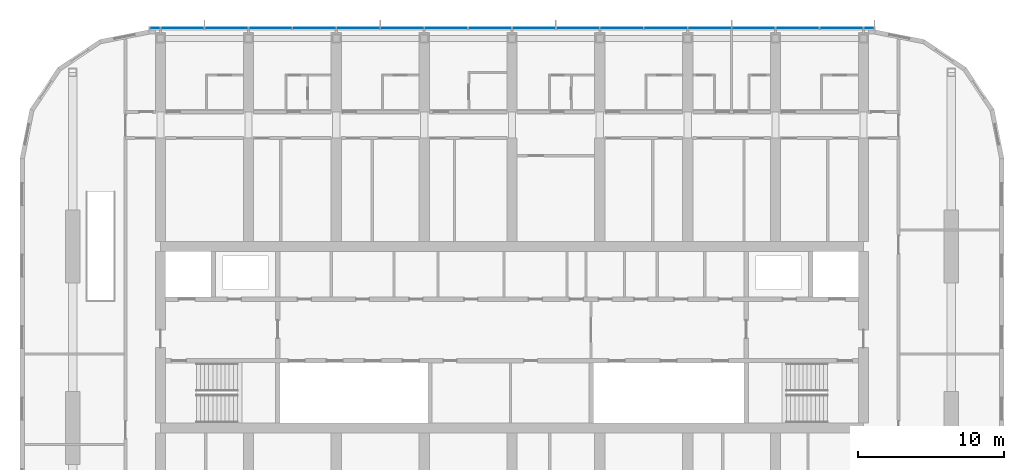
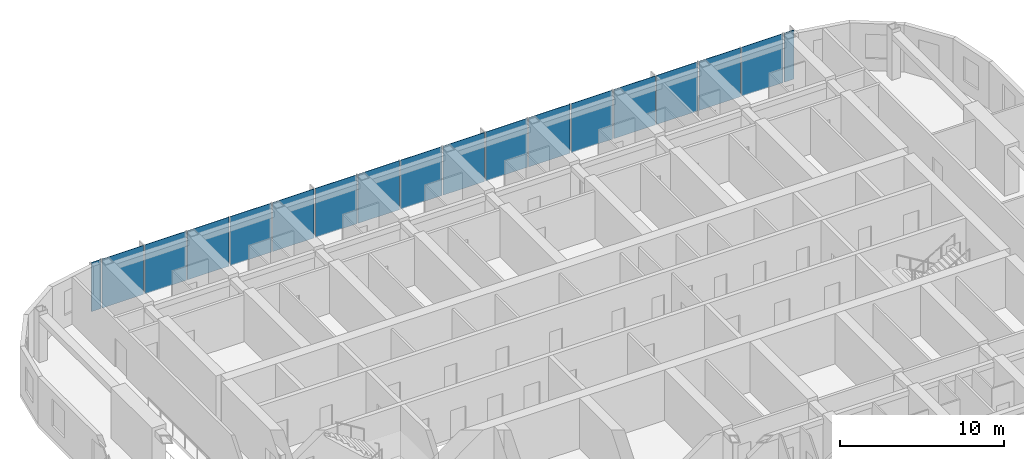
# One storey, part 9 of 23: 18 plates, 1 element without a shape of its own.
"""IFC4 building model written with IfcOpenShell, lengths in metres."""

from ifc_helpers import new_model, si_unit, direction, frame, origin, origin_2d, place, context, subcontext, project, spatial, rectangle, extrude, material, layer, layer_set, type_object, element, aggregate, save


model = new_model("IFC4")

# Units and contexts
model_context = context("Model", 3, precision=1e-05, world=origin(), true_north=direction((0.0, 1.0)))
body_context = subcontext(model_context, "Body", "Model", "MODEL_VIEW")
ifc_project = project(units=[si_unit("LENGTHUNIT", "METRE"), si_unit("AREAUNIT", "SQUARE_METRE"), si_unit("VOLUMEUNIT", "CUBIC_METRE"), si_unit("PLANEANGLEUNIT", "RADIAN"), si_unit("MASSUNIT", "GRAM", prefix="KILO")], contexts=[model_context])

# Site, building, storey
site_placement = place(None, origin())
site = spatial("IfcSite", under=ifc_project, at=site_placement, CompositionType="ELEMENT")
building_placement = place(site_placement, origin())
building = spatial("IfcBuilding", under=site, at=building_placement, Name="Orbita Commons", CompositionType="ELEMENT")
storey_placement = place(building_placement, frame((0.0, 0.0, 220.300048828125)))
storey = spatial("IfcBuildingStorey", under=building, at=storey_placement, Name="L54", CompositionType="ELEMENT", Elevation=220.300048828125)

# Curtain wall, plates
ifc_material_1 = material(Name="Anodised aluminium frame, pale silver", Category="aluminium")
curtain_wall_type = type_object("IfcCurtainWallType", Name="Unitised curtain wall CW-U, full-height vision", PredefinedType="NOTDEFINED", material=ifc_material_1)
curtain_wall_placement = place(storey_placement, origin())
curtain_wall = element("IfcCurtainWall", 1, at=curtain_wall_placement, inside=storey, type_object=curtain_wall_type, Name="Curtain wall north L54", PredefinedType="NOTDEFINED")
ifc_material_2 = material(Name="Clear double glazing", Category="glass")
ifc_layer = layer(ifc_material_2, 0.031982421875)
ifc_layer_set = layer_set([ifc_layer], Name="Clear double glazing")
plate_type = type_object("IfcPlateType", Name="Full-height vision panel, clear glazing 32", PredefinedType="CURTAIN_PANEL", material=ifc_layer_set)
plate_1_placement = place(storey_placement, frame((66.3798828125, 53.110107421875, -0.14990234375), z_axis=(0.0, 0.0, 1.0), x_axis=(-1.0, 0.0, 0.0)))
plate_1 = element("IfcPlate", 2, at=plate_1_placement, type_object=plate_type, Name="Panel 1.1 CW-L54-N", PredefinedType="CURTAIN_PANEL", context=body_context, shape_type="SweptSolid", body=[
    extrude(rectangle(XDim=0.679931640625, YDim=0.031982421875, at=origin_2d()), origin(), (0.0, 0.0, 1.0), 3.64990234375),
])
plate_2_placement = place(storey_placement, frame((64.5, 53.110107421875, -0.14990234375), z_axis=(0.0, 0.0, 1.0), x_axis=(-1.0, 0.0, 0.0)))
plate_2 = element("IfcPlate", 3, at=plate_2_placement, type_object=plate_type, Name="Panel 2.1 CW-L54-N", PredefinedType="CURTAIN_PANEL", context=body_context, shape_type="SweptSolid", body=[
    extrude(rectangle(XDim=2.919921875, YDim=0.031982421875, at=origin_2d()), origin(), (0.0, 0.0, 1.0), 3.64990234375),
])
plate_3_placement = place(storey_placement, frame((61.5, 53.110107421875, -0.14990234375), z_axis=(0.0, 0.0, 1.0), x_axis=(-1.0, 0.0, 0.0)))
plate_3 = element("IfcPlate", 4, at=plate_3_placement, type_object=plate_type, Name="Panel 3.1 CW-L54-N", PredefinedType="CURTAIN_PANEL", context=body_context, shape_type="SweptSolid", body=[
    extrude(rectangle(XDim=2.919921875, YDim=0.031982421875, at=origin_2d()), origin(), (0.0, 0.0, 1.0), 3.64990234375),
])
plate_4_placement = place(storey_placement, frame((58.5, 53.110107421875, -0.14990234375), z_axis=(0.0, 0.0, 1.0), x_axis=(-1.0, 0.0, 0.0)))
plate_4 = element("IfcPlate", 5, at=plate_4_placement, type_object=plate_type, Name="Panel 4.1 CW-L54-N", PredefinedType="CURTAIN_PANEL", context=body_context, shape_type="SweptSolid", body=[
    extrude(rectangle(XDim=2.919921875, YDim=0.031982421875, at=origin_2d()), origin(), (0.0, 0.0, 1.0), 3.64990234375),
])
plate_5_placement = place(storey_placement, frame((55.5, 53.110107421875, -0.14990234375), z_axis=(0.0, 0.0, 1.0), x_axis=(-1.0, 0.0, 0.0)))
plate_5 = element("IfcPlate", 6, at=plate_5_placement, type_object=plate_type, Name="Panel 5.1 CW-L54-N", PredefinedType="CURTAIN_PANEL", context=body_context, shape_type="SweptSolid", body=[
    extrude(rectangle(XDim=2.919921875, YDim=0.031982421875, at=origin_2d()), origin(), (0.0, 0.0, 1.0), 3.64990234375),
])
plate_6_placement = place(storey_placement, frame((52.5, 53.110107421875, -0.14990234375), z_axis=(0.0, 0.0, 1.0), x_axis=(-1.0, 0.0, 0.0)))
plate_6 = element("IfcPlate", 7, at=plate_6_placement, type_object=plate_type, Name="Panel 6.1 CW-L54-N", PredefinedType="CURTAIN_PANEL", context=body_context, shape_type="SweptSolid", body=[
    extrude(rectangle(XDim=2.919921875, YDim=0.031982421875, at=origin_2d()), origin(), (0.0, 0.0, 1.0), 3.64990234375),
])
plate_7_placement = place(storey_placement, frame((49.5, 53.110107421875, -0.14990234375), z_axis=(0.0, 0.0, 1.0), x_axis=(-1.0, 0.0, 0.0)))
plate_7 = element("IfcPlate", 8, at=plate_7_placement, type_object=plate_type, Name="Panel 7.1 CW-L54-N", PredefinedType="CURTAIN_PANEL", context=body_context, shape_type="SweptSolid", body=[
    extrude(rectangle(XDim=2.919921875, YDim=0.031982421875, at=origin_2d()), origin(), (0.0, 0.0, 1.0), 3.64990234375),
])
plate_8_placement = place(storey_placement, frame((46.5, 53.110107421875, -0.14990234375), z_axis=(0.0, 0.0, 1.0), x_axis=(-1.0, 0.0, 0.0)))
plate_8 = element("IfcPlate", 9, at=plate_8_placement, type_object=plate_type, Name="Panel 8.1 CW-L54-N", PredefinedType="CURTAIN_PANEL", context=body_context, shape_type="SweptSolid", body=[
    extrude(rectangle(XDim=2.919921875, YDim=0.031982421875, at=origin_2d()), origin(), (0.0, 0.0, 1.0), 3.64990234375),
])
plate_9_placement = place(storey_placement, frame((43.5, 53.110107421875, -0.14990234375), z_axis=(0.0, 0.0, 1.0), x_axis=(-1.0, 0.0, 0.0)))
plate_9 = element("IfcPlate", 10, at=plate_9_placement, type_object=plate_type, Name="Panel 9.1 CW-L54-N", PredefinedType="CURTAIN_PANEL", context=body_context, shape_type="SweptSolid", body=[
    extrude(rectangle(XDim=2.919921875, YDim=0.031982421875, at=origin_2d()), origin(), (0.0, 0.0, 1.0), 3.64990234375),
])
plate_10_placement = place(storey_placement, frame((40.5, 53.110107421875, -0.14990234375), z_axis=(0.0, 0.0, 1.0), x_axis=(-1.0, 0.0, 0.0)))
plate_10 = element("IfcPlate", 11, at=plate_10_placement, type_object=plate_type, Name="Panel 10.1 CW-L54-N", PredefinedType="CURTAIN_PANEL", context=body_context, shape_type="SweptSolid", body=[
    extrude(rectangle(XDim=2.919921875, YDim=0.031982421875, at=origin_2d()), origin(), (0.0, 0.0, 1.0), 3.64990234375),
])
plate_11_placement = place(storey_placement, frame((37.5, 53.110107421875, -0.14990234375), z_axis=(0.0, 0.0, 1.0), x_axis=(-1.0, 0.0, 0.0)))
plate_11 = element("IfcPlate", 12, at=plate_11_placement, type_object=plate_type, Name="Panel 11.1 CW-L54-N", PredefinedType="CURTAIN_PANEL", context=body_context, shape_type="SweptSolid", body=[
    extrude(rectangle(XDim=2.919921875, YDim=0.031982421875, at=origin_2d()), origin(), (0.0, 0.0, 1.0), 3.64990234375),
])
plate_12_placement = place(storey_placement, frame((34.5, 53.110107421875, -0.14990234375), z_axis=(0.0, 0.0, 1.0), x_axis=(-1.0, 0.0, 0.0)))
plate_12 = element("IfcPlate", 13, at=plate_12_placement, type_object=plate_type, Name="Panel 12.1 CW-L54-N", PredefinedType="CURTAIN_PANEL", context=body_context, shape_type="SweptSolid", body=[
    extrude(rectangle(XDim=2.919921875, YDim=0.031982421875, at=origin_2d()), origin(), (0.0, 0.0, 1.0), 3.64990234375),
])
plate_13_placement = place(storey_placement, frame((31.5, 53.110107421875, -0.14990234375), z_axis=(0.0, 0.0, 1.0), x_axis=(-1.0, 0.0, 0.0)))
plate_13 = element("IfcPlate", 14, at=plate_13_placement, type_object=plate_type, Name="Panel 13.1 CW-L54-N", PredefinedType="CURTAIN_PANEL", context=body_context, shape_type="SweptSolid", body=[
    extrude(rectangle(XDim=2.919921875, YDim=0.031982421875, at=origin_2d()), origin(), (0.0, 0.0, 1.0), 3.64990234375),
])
plate_14_placement = place(storey_placement, frame((28.5, 53.110107421875, -0.14990234375), z_axis=(0.0, 0.0, 1.0), x_axis=(-1.0, 0.0, 0.0)))
plate_14 = element("IfcPlate", 15, at=plate_14_placement, type_object=plate_type, Name="Panel 14.1 CW-L54-N", PredefinedType="CURTAIN_PANEL", context=body_context, shape_type="SweptSolid", body=[
    extrude(rectangle(XDim=2.919921875, YDim=0.031982421875, at=origin_2d()), origin(), (0.0, 0.0, 1.0), 3.64990234375),
])
plate_15_placement = place(storey_placement, frame((25.5, 53.110107421875, -0.14990234375), z_axis=(0.0, 0.0, 1.0), x_axis=(-1.0, 0.0, 0.0)))
plate_15 = element("IfcPlate", 16, at=plate_15_placement, type_object=plate_type, Name="Panel 15.1 CW-L54-N", PredefinedType="CURTAIN_PANEL", context=body_context, shape_type="SweptSolid", body=[
    extrude(rectangle(XDim=2.919921875, YDim=0.031982421875, at=origin_2d()), origin(), (0.0, 0.0, 1.0), 3.64990234375),
])
plate_16_placement = place(storey_placement, frame((22.5, 53.110107421875, -0.14990234375), z_axis=(0.0, 0.0, 1.0), x_axis=(-1.0, 0.0, 0.0)))
plate_16 = element("IfcPlate", 17, at=plate_16_placement, type_object=plate_type, Name="Panel 16.1 CW-L54-N", PredefinedType="CURTAIN_PANEL", context=body_context, shape_type="SweptSolid", body=[
    extrude(rectangle(XDim=2.919921875, YDim=0.031982421875, at=origin_2d()), origin(), (0.0, 0.0, 1.0), 3.64990234375),
])
plate_17_placement = place(storey_placement, frame((19.5, 53.110107421875, -0.14990234375), z_axis=(0.0, 0.0, 1.0), x_axis=(-1.0, 0.0, 0.0)))
plate_17 = element("IfcPlate", 18, at=plate_17_placement, type_object=plate_type, Name="Panel 17.1 CW-L54-N", PredefinedType="CURTAIN_PANEL", context=body_context, shape_type="SweptSolid", body=[
    extrude(rectangle(XDim=2.919921875, YDim=0.031982421875, at=origin_2d()), origin(), (0.0, 0.0, 1.0), 3.64990234375),
])
plate_18_placement = place(storey_placement, frame((17.6201171875, 53.110107421875, -0.14990234375), z_axis=(0.0, 0.0, 1.0), x_axis=(-1.0, 0.0, 0.0)))
plate_18 = element("IfcPlate", 19, at=plate_18_placement, type_object=plate_type, Name="Panel 18.1 CW-L54-N", PredefinedType="CURTAIN_PANEL", context=body_context, shape_type="SweptSolid", body=[
    extrude(rectangle(XDim=0.679931640625, YDim=0.031982421875, at=origin_2d()), origin(), (0.0, 0.0, 1.0), 3.64990234375),
])
aggregate(curtain_wall, [plate_1, plate_2, plate_3, plate_4, plate_5, plate_6, plate_7, plate_8, plate_9, plate_10, plate_11, plate_12, plate_13, plate_14, plate_15, plate_16, plate_17, plate_18])

save(model, "model.ifc")
